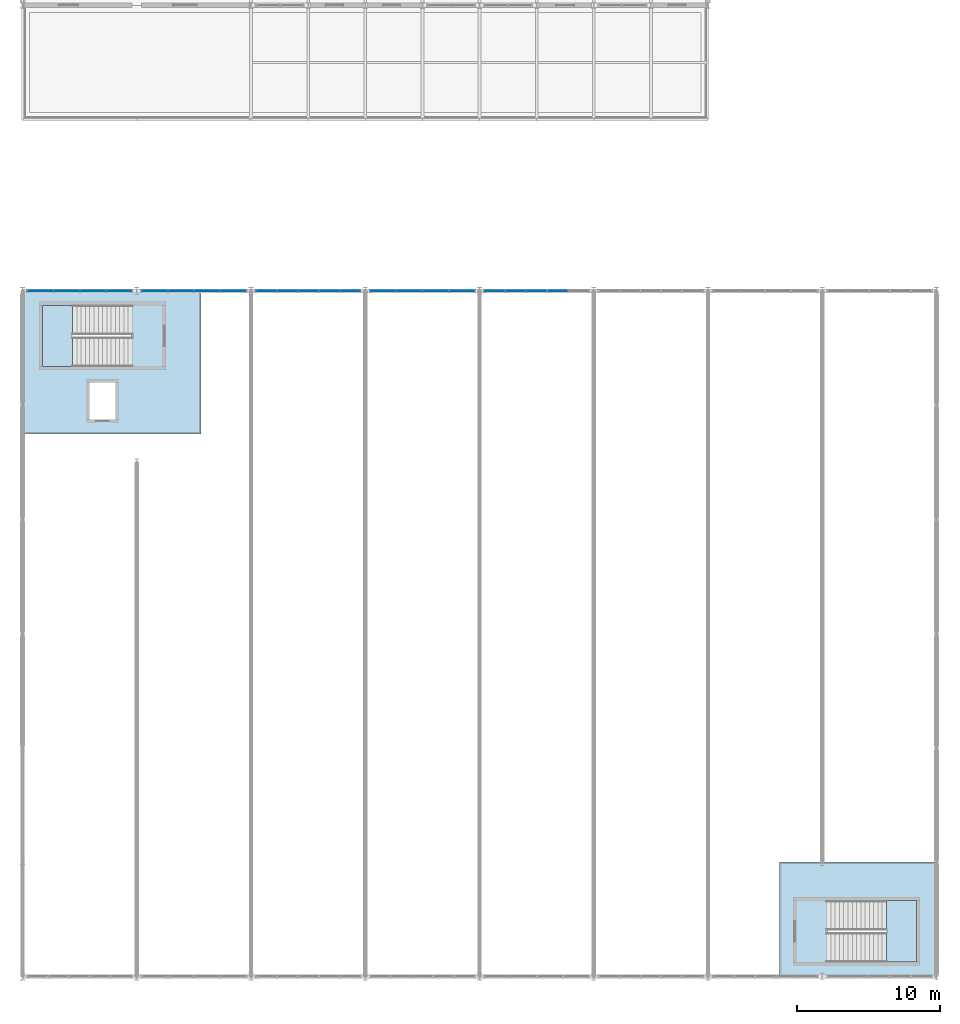
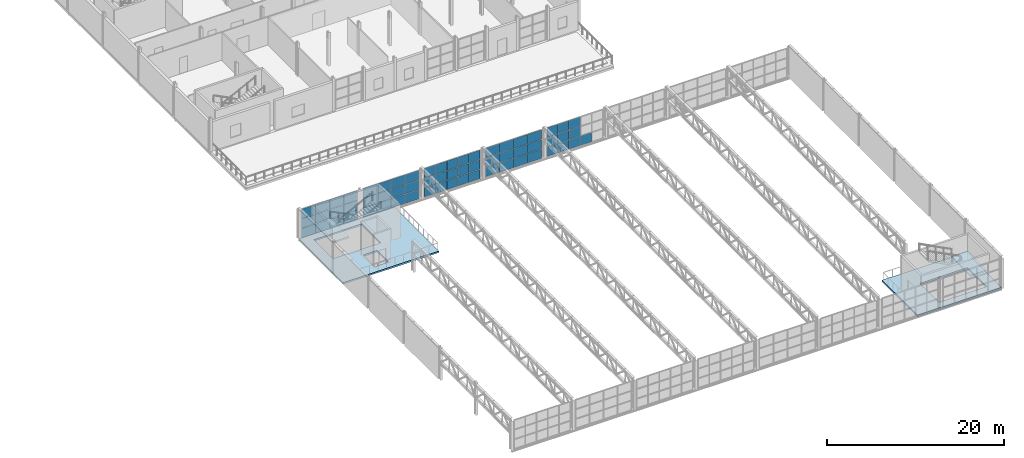
# One storey, part 55 of 67: 61 plates, 4 slabs, 7 elements without a shape of their own.
"""IFC4 building model written with IfcOpenShell, lengths in metres."""

from ifc_helpers import new_model, si_unit, derived_unit, direction, frame, origin, origin_2d, place, context, subcontext, project, spatial, polyline, rectangle, outline, extrude, material, layer, layer_set, type_object, element, aggregate, save


model = new_model("IFC4")

# Units and contexts
model_context = context("Model", 3, precision=1e-05, world=origin(), true_north=direction((0.0, 1.0)))
body_context = subcontext(model_context, "Body", "Model", "MODEL_VIEW")
ifc_project = project(units=[si_unit("LENGTHUNIT", "METRE"), si_unit("AREAUNIT", "SQUARE_METRE"), si_unit("VOLUMEUNIT", "CUBIC_METRE"), si_unit("PLANEANGLEUNIT", "RADIAN"), si_unit("MASSUNIT", "GRAM", prefix="KILO"), derived_unit("THERMALTRANSMITTANCEUNIT", [(si_unit("POWERUNIT", "WATT"), 1), (si_unit("LENGTHUNIT", "METRE"), -2), (si_unit("THERMODYNAMICTEMPERATUREUNIT", "KELVIN"), -1)])], contexts=[model_context])

# Site, building, storey
site_placement = place(None, origin())
site = spatial("IfcSite", under=ifc_project, at=site_placement, CompositionType="ELEMENT")
building_placement = place(site_placement, origin())
building = spatial("IfcBuilding", under=site, at=building_placement, Name="Keldorne Ridge Multi-Sports Centre", CompositionType="ELEMENT")
storey_placement = place(building_placement, frame((0.0, 0.0, 14.0)))
storey = spatial("IfcBuildingStorey", under=building, at=storey_placement, Name="L03", CompositionType="ELEMENT", Elevation=14.0)

# Curtain wall, plates
ifc_material_1 = material(Name="Anodized aluminium", Category="aluminium")
curtain_wall_type_1 = type_object("IfcCurtainWallType", Name="CW-CW-05", PredefinedType="NOTDEFINED", material=ifc_material_1)
curtain_wall_1_placement = place(storey_placement, origin())
curtain_wall_1 = element("IfcCurtainWall", 1, at=curtain_wall_1_placement, inside=storey, type_object=curtain_wall_type_1, Name="Upper Courts north clerestory 093", PredefinedType="NOTDEFINED")
ifc_material_2 = material(Name="Double low-e insulated glazing", Category="glass")
ifc_layer_1 = layer(ifc_material_2, 0.035888671875)
ifc_layer_set_1 = layer_set([ifc_layer_1])
plate_type = type_object("IfcPlateType", Name="PLT-GL-01", PredefinedType="CURTAIN_PANEL", material=ifc_layer_set_1)
plate_1_placement = place(storey_placement, frame((110.7451171875, 54.0, 0.02001953125), z_axis=(0.0, 0.0, 1.0), x_axis=(-1.0, 0.0, 0.0)))
plate_1 = element("IfcPlate", 2, at=plate_1_placement, type_object=plate_type, Name="CW-093 glazed panel 1.1", PredefinedType="CURTAIN_PANEL", context=body_context, shape_type="SweptSolid", body=[
    extrude(rectangle(XDim=1.7900390625, YDim=0.035888671875, at=origin_2d()), origin(), (0.0, 0.0, 1.0), 1.293212890625),
])
plate_2_placement = place(storey_placement, frame((110.7451171875, 54.0, 1.353515625), z_axis=(0.0, 0.0, 1.0), x_axis=(-1.0, 0.0, 0.0)))
plate_2 = element("IfcPlate", 3, at=plate_2_placement, type_object=plate_type, Name="CW-093 glazed panel 1.2", PredefinedType="CURTAIN_PANEL", context=body_context, shape_type="SweptSolid", body=[
    extrude(rectangle(XDim=1.7900390625, YDim=0.035888671875, at=origin_2d()), origin(), (0.0, 0.0, 1.0), 1.293212890625),
])
plate_3_placement = place(storey_placement, frame((110.7451171875, 54.0, 2.6865234375), z_axis=(0.0, 0.0, 1.0), x_axis=(-1.0, 0.0, 0.0)))
plate_3 = element("IfcPlate", 4, at=plate_3_placement, type_object=plate_type, Name="CW-093 glazed panel 1.3", PredefinedType="CURTAIN_PANEL", context=body_context, shape_type="SweptSolid", body=[
    extrude(rectangle(XDim=1.7900390625, YDim=0.035888671875, at=origin_2d()), origin(), (0.0, 0.0, 1.0), 1.293212890625),
])
plate_4_placement = place(storey_placement, frame((108.9150390625, 54.0, 0.02001953125), z_axis=(0.0, 0.0, 1.0), x_axis=(-1.0, 0.0, 0.0)))
plate_4 = element("IfcPlate", 5, at=plate_4_placement, type_object=plate_type, Name="CW-093 glazed panel 2.1", PredefinedType="CURTAIN_PANEL", context=body_context, shape_type="SweptSolid", body=[
    extrude(rectangle(XDim=1.7900390625, YDim=0.035888671875, at=origin_2d()), origin(), (0.0, 0.0, 1.0), 1.293212890625),
])
plate_5_placement = place(storey_placement, frame((108.9150390625, 54.0, 1.353515625), z_axis=(0.0, 0.0, 1.0), x_axis=(-1.0, 0.0, 0.0)))
plate_5 = element("IfcPlate", 6, at=plate_5_placement, type_object=plate_type, Name="CW-093 glazed panel 2.2", PredefinedType="CURTAIN_PANEL", context=body_context, shape_type="SweptSolid", body=[
    extrude(rectangle(XDim=1.7900390625, YDim=0.035888671875, at=origin_2d()), origin(), (0.0, 0.0, 1.0), 1.293212890625),
])
plate_6_placement = place(storey_placement, frame((108.9150390625, 54.0, 2.6865234375), z_axis=(0.0, 0.0, 1.0), x_axis=(-1.0, 0.0, 0.0)))
plate_6 = element("IfcPlate", 7, at=plate_6_placement, type_object=plate_type, Name="CW-093 glazed panel 2.3", PredefinedType="CURTAIN_PANEL", context=body_context, shape_type="SweptSolid", body=[
    extrude(rectangle(XDim=1.7900390625, YDim=0.035888671875, at=origin_2d()), origin(), (0.0, 0.0, 1.0), 1.293212890625),
])
plate_7_placement = place(storey_placement, frame((107.0849609375, 54.0, 0.02001953125), z_axis=(0.0, 0.0, 1.0), x_axis=(-1.0, 0.0, 0.0)))
plate_7 = element("IfcPlate", 8, at=plate_7_placement, type_object=plate_type, Name="CW-093 glazed panel 3.1", PredefinedType="CURTAIN_PANEL", context=body_context, shape_type="SweptSolid", body=[
    extrude(rectangle(XDim=1.7900390625, YDim=0.035888671875, at=origin_2d()), origin(), (0.0, 0.0, 1.0), 1.293212890625),
])
plate_8_placement = place(storey_placement, frame((107.0849609375, 54.0, 1.353515625), z_axis=(0.0, 0.0, 1.0), x_axis=(-1.0, 0.0, 0.0)))
plate_8 = element("IfcPlate", 9, at=plate_8_placement, type_object=plate_type, Name="CW-093 glazed panel 3.2", PredefinedType="CURTAIN_PANEL", context=body_context, shape_type="SweptSolid", body=[
    extrude(rectangle(XDim=1.7900390625, YDim=0.035888671875, at=origin_2d()), origin(), (0.0, 0.0, 1.0), 1.293212890625),
])
plate_9_placement = place(storey_placement, frame((107.0849609375, 54.0, 2.6865234375), z_axis=(0.0, 0.0, 1.0), x_axis=(-1.0, 0.0, 0.0)))
plate_9 = element("IfcPlate", 10, at=plate_9_placement, type_object=plate_type, Name="CW-093 glazed panel 3.3", PredefinedType="CURTAIN_PANEL", context=body_context, shape_type="SweptSolid", body=[
    extrude(rectangle(XDim=1.7900390625, YDim=0.035888671875, at=origin_2d()), origin(), (0.0, 0.0, 1.0), 1.293212890625),
])
plate_10_placement = place(storey_placement, frame((105.2548828125, 54.0, 0.02001953125), z_axis=(0.0, 0.0, 1.0), x_axis=(-1.0, 0.0, 0.0)))
plate_10 = element("IfcPlate", 11, at=plate_10_placement, type_object=plate_type, Name="CW-093 glazed panel 4.1", PredefinedType="CURTAIN_PANEL", context=body_context, shape_type="SweptSolid", body=[
    extrude(rectangle(XDim=1.7900390625, YDim=0.035888671875, at=origin_2d()), origin(), (0.0, 0.0, 1.0), 1.293212890625),
])
plate_11_placement = place(storey_placement, frame((105.2548828125, 54.0, 1.353515625), z_axis=(0.0, 0.0, 1.0), x_axis=(-1.0, 0.0, 0.0)))
plate_11 = element("IfcPlate", 12, at=plate_11_placement, type_object=plate_type, Name="CW-093 glazed panel 4.2", PredefinedType="CURTAIN_PANEL", context=body_context, shape_type="SweptSolid", body=[
    extrude(rectangle(XDim=1.7900390625, YDim=0.035888671875, at=origin_2d()), origin(), (0.0, 0.0, 1.0), 1.293212890625),
])
plate_12_placement = place(storey_placement, frame((105.2548828125, 54.0, 2.6865234375), z_axis=(0.0, 0.0, 1.0), x_axis=(-1.0, 0.0, 0.0)))
plate_12 = element("IfcPlate", 13, at=plate_12_placement, type_object=plate_type, Name="CW-093 glazed panel 4.3", PredefinedType="CURTAIN_PANEL", context=body_context, shape_type="SweptSolid", body=[
    extrude(rectangle(XDim=1.7900390625, YDim=0.035888671875, at=origin_2d()), origin(), (0.0, 0.0, 1.0), 1.293212890625),
])
aggregate(curtain_wall_1, [plate_1, plate_2, plate_3, plate_4, plate_5, plate_6, plate_7, plate_8, plate_9, plate_10, plate_11, plate_12])

curtain_wall_type_2 = type_object("IfcCurtainWallType", Name="CW-CW-03", PredefinedType="NOTDEFINED", material=ifc_material_1)
curtain_wall_2_placement = place(storey_placement, origin())
curtain_wall_2 = element("IfcCurtainWall", 14, at=curtain_wall_2_placement, inside=storey, type_object=curtain_wall_type_2, Name="Upper Courts north clerestory 099", PredefinedType="NOTDEFINED")
plate_13_placement = place(storey_placement, frame((118.7451171875, 54.0, 0.02001953125), z_axis=(0.0, 0.0, 1.0), x_axis=(-1.0, 0.0, 0.0)))
plate_13 = element("IfcPlate", 15, at=plate_13_placement, type_object=plate_type, Name="CW-099 glazed panel 1.1", PredefinedType="CURTAIN_PANEL", context=body_context, shape_type="SweptSolid", body=[
    extrude(rectangle(XDim=1.7900390625, YDim=0.035888671875, at=origin_2d()), origin(), (0.0, 0.0, 1.0), 1.293212890625),
])
plate_14_placement = place(storey_placement, frame((118.7451171875, 54.0, 1.353515625), z_axis=(0.0, 0.0, 1.0), x_axis=(-1.0, 0.0, 0.0)))
plate_14 = element("IfcPlate", 16, at=plate_14_placement, type_object=plate_type, Name="CW-099 glazed panel 1.2", PredefinedType="CURTAIN_PANEL", context=body_context, shape_type="SweptSolid", body=[
    extrude(rectangle(XDim=1.7900390625, YDim=0.035888671875, at=origin_2d()), origin(), (0.0, 0.0, 1.0), 1.293212890625),
])
plate_15_placement = place(storey_placement, frame((118.7451171875, 54.0, 2.6865234375), z_axis=(0.0, 0.0, 1.0), x_axis=(-1.0, 0.0, 0.0)))
plate_15 = element("IfcPlate", 17, at=plate_15_placement, type_object=plate_type, Name="CW-099 glazed panel 1.3", PredefinedType="CURTAIN_PANEL", context=body_context, shape_type="SweptSolid", body=[
    extrude(rectangle(XDim=1.7900390625, YDim=0.035888671875, at=origin_2d()), origin(), (0.0, 0.0, 1.0), 1.293212890625),
])
plate_16_placement = place(storey_placement, frame((116.9150390625, 54.0, 0.02001953125), z_axis=(0.0, 0.0, 1.0), x_axis=(-1.0, 0.0, 0.0)))
plate_16 = element("IfcPlate", 18, at=plate_16_placement, type_object=plate_type, Name="CW-099 glazed panel 2.1", PredefinedType="CURTAIN_PANEL", context=body_context, shape_type="SweptSolid", body=[
    extrude(rectangle(XDim=1.7900390625, YDim=0.035888671875, at=origin_2d()), origin(), (0.0, 0.0, 1.0), 1.293212890625),
])
plate_17_placement = place(storey_placement, frame((116.9150390625, 54.0, 1.353515625), z_axis=(0.0, 0.0, 1.0), x_axis=(-1.0, 0.0, 0.0)))
plate_17 = element("IfcPlate", 19, at=plate_17_placement, type_object=plate_type, Name="CW-099 glazed panel 2.2", PredefinedType="CURTAIN_PANEL", context=body_context, shape_type="SweptSolid", body=[
    extrude(rectangle(XDim=1.7900390625, YDim=0.035888671875, at=origin_2d()), origin(), (0.0, 0.0, 1.0), 1.293212890625),
])
plate_18_placement = place(storey_placement, frame((116.9150390625, 54.0, 2.6865234375), z_axis=(0.0, 0.0, 1.0), x_axis=(-1.0, 0.0, 0.0)))
plate_18 = element("IfcPlate", 20, at=plate_18_placement, type_object=plate_type, Name="CW-099 glazed panel 2.3", PredefinedType="CURTAIN_PANEL", context=body_context, shape_type="SweptSolid", body=[
    extrude(rectangle(XDim=1.7900390625, YDim=0.035888671875, at=origin_2d()), origin(), (0.0, 0.0, 1.0), 1.293212890625),
])
plate_19_placement = place(storey_placement, frame((115.0849609375, 54.0, 0.02001953125), z_axis=(0.0, 0.0, 1.0), x_axis=(-1.0, 0.0, 0.0)))
plate_19 = element("IfcPlate", 21, at=plate_19_placement, type_object=plate_type, Name="CW-099 glazed panel 3.1", PredefinedType="CURTAIN_PANEL", context=body_context, shape_type="SweptSolid", body=[
    extrude(rectangle(XDim=1.7900390625, YDim=0.035888671875, at=origin_2d()), origin(), (0.0, 0.0, 1.0), 1.293212890625),
])
plate_20_placement = place(storey_placement, frame((115.0849609375, 54.0, 1.353515625), z_axis=(0.0, 0.0, 1.0), x_axis=(-1.0, 0.0, 0.0)))
plate_20 = element("IfcPlate", 22, at=plate_20_placement, type_object=plate_type, Name="CW-099 glazed panel 3.2", PredefinedType="CURTAIN_PANEL", context=body_context, shape_type="SweptSolid", body=[
    extrude(rectangle(XDim=1.7900390625, YDim=0.035888671875, at=origin_2d()), origin(), (0.0, 0.0, 1.0), 1.293212890625),
])
plate_21_placement = place(storey_placement, frame((115.0849609375, 54.0, 2.6865234375), z_axis=(0.0, 0.0, 1.0), x_axis=(-1.0, 0.0, 0.0)))
plate_21 = element("IfcPlate", 23, at=plate_21_placement, type_object=plate_type, Name="CW-099 glazed panel 3.3", PredefinedType="CURTAIN_PANEL", context=body_context, shape_type="SweptSolid", body=[
    extrude(rectangle(XDim=1.7900390625, YDim=0.035888671875, at=origin_2d()), origin(), (0.0, 0.0, 1.0), 1.293212890625),
])
plate_22_placement = place(storey_placement, frame((113.2548828125, 54.0, 0.02001953125), z_axis=(0.0, 0.0, 1.0), x_axis=(-1.0, 0.0, 0.0)))
plate_22 = element("IfcPlate", 24, at=plate_22_placement, type_object=plate_type, Name="CW-099 glazed panel 4.1", PredefinedType="CURTAIN_PANEL", context=body_context, shape_type="SweptSolid", body=[
    extrude(rectangle(XDim=1.7900390625, YDim=0.035888671875, at=origin_2d()), origin(), (0.0, 0.0, 1.0), 1.293212890625),
])
plate_23_placement = place(storey_placement, frame((113.2548828125, 54.0, 1.353515625), z_axis=(0.0, 0.0, 1.0), x_axis=(-1.0, 0.0, 0.0)))
plate_23 = element("IfcPlate", 25, at=plate_23_placement, type_object=plate_type, Name="CW-099 glazed panel 4.2", PredefinedType="CURTAIN_PANEL", context=body_context, shape_type="SweptSolid", body=[
    extrude(rectangle(XDim=1.7900390625, YDim=0.035888671875, at=origin_2d()), origin(), (0.0, 0.0, 1.0), 1.293212890625),
])
plate_24_placement = place(storey_placement, frame((113.2548828125, 54.0, 2.6865234375), z_axis=(0.0, 0.0, 1.0), x_axis=(-1.0, 0.0, 0.0)))
plate_24 = element("IfcPlate", 26, at=plate_24_placement, type_object=plate_type, Name="CW-099 glazed panel 4.3", PredefinedType="CURTAIN_PANEL", context=body_context, shape_type="SweptSolid", body=[
    extrude(rectangle(XDim=1.7900390625, YDim=0.035888671875, at=origin_2d()), origin(), (0.0, 0.0, 1.0), 1.293212890625),
])
aggregate(curtain_wall_2, [plate_13, plate_14, plate_15, plate_16, plate_17, plate_18, plate_19, plate_20, plate_21, plate_22, plate_23, plate_24])

curtain_wall_type_3 = type_object("IfcCurtainWallType", Name="CW-CW-01", PredefinedType="NOTDEFINED", material=ifc_material_1)
curtain_wall_3_placement = place(storey_placement, origin())
curtain_wall_3 = element("IfcCurtainWall", 27, at=curtain_wall_3_placement, inside=storey, type_object=curtain_wall_type_3, Name="Upper Courts north clerestory 105", PredefinedType="NOTDEFINED")
plate_25_placement = place(storey_placement, frame((126.927978515625, 54.0, 0.02001953125), z_axis=(0.0, 0.0, 1.0), x_axis=(-1.0, 0.0, 0.0)))
plate_25 = element("IfcPlate", 28, at=plate_25_placement, type_object=plate_type, Name="CW-105 glazed panel 1.1", PredefinedType="CURTAIN_PANEL", context=body_context, shape_type="SweptSolid", body=[
    extrude(rectangle(XDim=1.424072265625, YDim=0.035888671875, at=origin_2d()), origin(), (0.0, 0.0, 1.0), 1.293212890625),
])
plate_26_placement = place(storey_placement, frame((126.927978515625, 54.0, 1.353515625), z_axis=(0.0, 0.0, 1.0), x_axis=(-1.0, 0.0, 0.0)))
plate_26 = element("IfcPlate", 29, at=plate_26_placement, type_object=plate_type, Name="CW-105 glazed panel 1.2", PredefinedType="CURTAIN_PANEL", context=body_context, shape_type="SweptSolid", body=[
    extrude(rectangle(XDim=1.424072265625, YDim=0.035888671875, at=origin_2d()), origin(), (0.0, 0.0, 1.0), 1.293212890625),
])
plate_27_placement = place(storey_placement, frame((126.927978515625, 54.0, 2.6865234375), z_axis=(0.0, 0.0, 1.0), x_axis=(-1.0, 0.0, 0.0)))
plate_27 = element("IfcPlate", 30, at=plate_27_placement, type_object=plate_type, Name="CW-105 glazed panel 1.3", PredefinedType="CURTAIN_PANEL", context=body_context, shape_type="SweptSolid", body=[
    extrude(rectangle(XDim=1.424072265625, YDim=0.035888671875, at=origin_2d()), origin(), (0.0, 0.0, 1.0), 1.293212890625),
])
plate_28_placement = place(storey_placement, frame((125.464111328125, 54.0, 0.02001953125), z_axis=(0.0, 0.0, 1.0), x_axis=(-1.0, 0.0, 0.0)))
plate_28 = element("IfcPlate", 31, at=plate_28_placement, type_object=plate_type, Name="CW-105 glazed panel 2.1", PredefinedType="CURTAIN_PANEL", context=body_context, shape_type="SweptSolid", body=[
    extrude(rectangle(XDim=1.424072265625, YDim=0.035888671875, at=origin_2d()), origin(), (0.0, 0.0, 1.0), 1.293212890625),
])
plate_29_placement = place(storey_placement, frame((125.464111328125, 54.0, 1.353515625), z_axis=(0.0, 0.0, 1.0), x_axis=(-1.0, 0.0, 0.0)))
plate_29 = element("IfcPlate", 32, at=plate_29_placement, type_object=plate_type, Name="CW-105 glazed panel 2.2", PredefinedType="CURTAIN_PANEL", context=body_context, shape_type="SweptSolid", body=[
    extrude(rectangle(XDim=1.424072265625, YDim=0.035888671875, at=origin_2d()), origin(), (0.0, 0.0, 1.0), 1.293212890625),
])
plate_30_placement = place(storey_placement, frame((125.464111328125, 54.0, 2.6865234375), z_axis=(0.0, 0.0, 1.0), x_axis=(-1.0, 0.0, 0.0)))
plate_30 = element("IfcPlate", 33, at=plate_30_placement, type_object=plate_type, Name="CW-105 glazed panel 2.3", PredefinedType="CURTAIN_PANEL", context=body_context, shape_type="SweptSolid", body=[
    extrude(rectangle(XDim=1.424072265625, YDim=0.035888671875, at=origin_2d()), origin(), (0.0, 0.0, 1.0), 1.293212890625),
])
plate_31_placement = place(storey_placement, frame((124.0, 54.0, 0.02001953125), z_axis=(0.0, 0.0, 1.0), x_axis=(-1.0, 0.0, 0.0)))
plate_31 = element("IfcPlate", 34, at=plate_31_placement, type_object=plate_type, Name="CW-105 glazed panel 3.1", PredefinedType="CURTAIN_PANEL", context=body_context, shape_type="SweptSolid", body=[
    extrude(rectangle(XDim=1.424072265625, YDim=0.035888671875, at=origin_2d()), origin(), (0.0, 0.0, 1.0), 1.293212890625),
])
plate_32_placement = place(storey_placement, frame((124.0, 54.0, 1.353515625), z_axis=(0.0, 0.0, 1.0), x_axis=(-1.0, 0.0, 0.0)))
plate_32 = element("IfcPlate", 35, at=plate_32_placement, type_object=plate_type, Name="CW-105 glazed panel 3.2", PredefinedType="CURTAIN_PANEL", context=body_context, shape_type="SweptSolid", body=[
    extrude(rectangle(XDim=1.424072265625, YDim=0.035888671875, at=origin_2d()), origin(), (0.0, 0.0, 1.0), 1.293212890625),
])
plate_33_placement = place(storey_placement, frame((124.0, 54.0, 2.6865234375), z_axis=(0.0, 0.0, 1.0), x_axis=(-1.0, 0.0, 0.0)))
plate_33 = element("IfcPlate", 36, at=plate_33_placement, type_object=plate_type, Name="CW-105 glazed panel 3.3", PredefinedType="CURTAIN_PANEL", context=body_context, shape_type="SweptSolid", body=[
    extrude(rectangle(XDim=1.424072265625, YDim=0.035888671875, at=origin_2d()), origin(), (0.0, 0.0, 1.0), 1.293212890625),
])
plate_34_placement = place(storey_placement, frame((122.535888671875, 54.0, 0.02001953125), z_axis=(0.0, 0.0, 1.0), x_axis=(-1.0, 0.0, 0.0)))
plate_34 = element("IfcPlate", 37, at=plate_34_placement, type_object=plate_type, Name="CW-105 glazed panel 4.1", PredefinedType="CURTAIN_PANEL", context=body_context, shape_type="SweptSolid", body=[
    extrude(rectangle(XDim=1.424072265625, YDim=0.035888671875, at=origin_2d()), origin(), (0.0, 0.0, 1.0), 1.293212890625),
])
plate_35_placement = place(storey_placement, frame((122.535888671875, 54.0, 1.353515625), z_axis=(0.0, 0.0, 1.0), x_axis=(-1.0, 0.0, 0.0)))
plate_35 = element("IfcPlate", 38, at=plate_35_placement, type_object=plate_type, Name="CW-105 glazed panel 4.2", PredefinedType="CURTAIN_PANEL", context=body_context, shape_type="SweptSolid", body=[
    extrude(rectangle(XDim=1.424072265625, YDim=0.035888671875, at=origin_2d()), origin(), (0.0, 0.0, 1.0), 1.293212890625),
])
plate_36_placement = place(storey_placement, frame((122.535888671875, 54.0, 2.6865234375), z_axis=(0.0, 0.0, 1.0), x_axis=(-1.0, 0.0, 0.0)))
plate_36 = element("IfcPlate", 39, at=plate_36_placement, type_object=plate_type, Name="CW-105 glazed panel 4.3", PredefinedType="CURTAIN_PANEL", context=body_context, shape_type="SweptSolid", body=[
    extrude(rectangle(XDim=1.424072265625, YDim=0.035888671875, at=origin_2d()), origin(), (0.0, 0.0, 1.0), 1.293212890625),
])
plate_37_placement = place(storey_placement, frame((121.072021484375, 54.0, 0.02001953125), z_axis=(0.0, 0.0, 1.0), x_axis=(-1.0, 0.0, 0.0)))
plate_37 = element("IfcPlate", 40, at=plate_37_placement, type_object=plate_type, Name="CW-105 glazed panel 5.1", PredefinedType="CURTAIN_PANEL", context=body_context, shape_type="SweptSolid", body=[
    extrude(rectangle(XDim=1.424072265625, YDim=0.035888671875, at=origin_2d()), origin(), (0.0, 0.0, 1.0), 1.293212890625),
])
plate_38_placement = place(storey_placement, frame((121.072021484375, 54.0, 1.353515625), z_axis=(0.0, 0.0, 1.0), x_axis=(-1.0, 0.0, 0.0)))
plate_38 = element("IfcPlate", 41, at=plate_38_placement, type_object=plate_type, Name="CW-105 glazed panel 5.2", PredefinedType="CURTAIN_PANEL", context=body_context, shape_type="SweptSolid", body=[
    extrude(rectangle(XDim=1.424072265625, YDim=0.035888671875, at=origin_2d()), origin(), (0.0, 0.0, 1.0), 1.293212890625),
])
plate_39_placement = place(storey_placement, frame((121.072021484375, 54.0, 2.6865234375), z_axis=(0.0, 0.0, 1.0), x_axis=(-1.0, 0.0, 0.0)))
plate_39 = element("IfcPlate", 42, at=plate_39_placement, type_object=plate_type, Name="CW-105 glazed panel 5.3", PredefinedType="CURTAIN_PANEL", context=body_context, shape_type="SweptSolid", body=[
    extrude(rectangle(XDim=1.424072265625, YDim=0.035888671875, at=origin_2d()), origin(), (0.0, 0.0, 1.0), 1.293212890625),
])
aggregate(curtain_wall_3, [plate_25, plate_26, plate_27, plate_28, plate_29, plate_30, plate_31, plate_32, plate_33, plate_34, plate_35, plate_36, plate_37, plate_38, plate_39])

curtain_wall_type_4 = type_object("IfcCurtainWallType", Name="CW-CW-08", PredefinedType="NOTDEFINED", material=ifc_material_1)
curtain_wall_4_placement = place(storey_placement, origin())
curtain_wall_4 = element("IfcCurtainWall", 43, at=curtain_wall_4_placement, inside=storey, type_object=curtain_wall_type_4, Name="Upper Courts north clerestory 112", PredefinedType="NOTDEFINED")
plate_40_placement = place(storey_placement, frame((134.7451171875, 54.0, 0.02001953125), z_axis=(0.0, 0.0, 1.0), x_axis=(-1.0, 0.0, 0.0)))
plate_40 = element("IfcPlate", 44, at=plate_40_placement, type_object=plate_type, Name="CW-112 glazed panel 1.1", PredefinedType="CURTAIN_PANEL", context=body_context, shape_type="SweptSolid", body=[
    extrude(rectangle(XDim=1.7900390625, YDim=0.035888671875, at=origin_2d()), origin(), (0.0, 0.0, 1.0), 1.293212890625),
])
plate_41_placement = place(storey_placement, frame((134.7451171875, 54.0, 1.353515625), z_axis=(0.0, 0.0, 1.0), x_axis=(-1.0, 0.0, 0.0)))
plate_41 = element("IfcPlate", 45, at=plate_41_placement, type_object=plate_type, Name="CW-112 glazed panel 1.2", PredefinedType="CURTAIN_PANEL", context=body_context, shape_type="SweptSolid", body=[
    extrude(rectangle(XDim=1.7900390625, YDim=0.035888671875, at=origin_2d()), origin(), (0.0, 0.0, 1.0), 1.293212890625),
])
plate_42_placement = place(storey_placement, frame((134.7451171875, 54.0, 2.6865234375), z_axis=(0.0, 0.0, 1.0), x_axis=(-1.0, 0.0, 0.0)))
plate_42 = element("IfcPlate", 46, at=plate_42_placement, type_object=plate_type, Name="CW-112 glazed panel 1.3", PredefinedType="CURTAIN_PANEL", context=body_context, shape_type="SweptSolid", body=[
    extrude(rectangle(XDim=1.7900390625, YDim=0.035888671875, at=origin_2d()), origin(), (0.0, 0.0, 1.0), 1.293212890625),
])
plate_43_placement = place(storey_placement, frame((132.9150390625, 54.0, 0.02001953125), z_axis=(0.0, 0.0, 1.0), x_axis=(-1.0, 0.0, 0.0)))
plate_43 = element("IfcPlate", 47, at=plate_43_placement, type_object=plate_type, Name="CW-112 glazed panel 2.1", PredefinedType="CURTAIN_PANEL", context=body_context, shape_type="SweptSolid", body=[
    extrude(rectangle(XDim=1.7900390625, YDim=0.035888671875, at=origin_2d()), origin(), (0.0, 0.0, 1.0), 1.293212890625),
])
plate_44_placement = place(storey_placement, frame((132.9150390625, 54.0, 1.353515625), z_axis=(0.0, 0.0, 1.0), x_axis=(-1.0, 0.0, 0.0)))
plate_44 = element("IfcPlate", 48, at=plate_44_placement, type_object=plate_type, Name="CW-112 glazed panel 2.2", PredefinedType="CURTAIN_PANEL", context=body_context, shape_type="SweptSolid", body=[
    extrude(rectangle(XDim=1.7900390625, YDim=0.035888671875, at=origin_2d()), origin(), (0.0, 0.0, 1.0), 1.293212890625),
])
plate_45_placement = place(storey_placement, frame((132.9150390625, 54.0, 2.6865234375), z_axis=(0.0, 0.0, 1.0), x_axis=(-1.0, 0.0, 0.0)))
plate_45 = element("IfcPlate", 49, at=plate_45_placement, type_object=plate_type, Name="CW-112 glazed panel 2.3", PredefinedType="CURTAIN_PANEL", context=body_context, shape_type="SweptSolid", body=[
    extrude(rectangle(XDim=1.7900390625, YDim=0.035888671875, at=origin_2d()), origin(), (0.0, 0.0, 1.0), 1.293212890625),
])
plate_46_placement = place(storey_placement, frame((131.0849609375, 54.0, 0.02001953125), z_axis=(0.0, 0.0, 1.0), x_axis=(-1.0, 0.0, 0.0)))
plate_46 = element("IfcPlate", 50, at=plate_46_placement, type_object=plate_type, Name="CW-112 glazed panel 3.1", PredefinedType="CURTAIN_PANEL", context=body_context, shape_type="SweptSolid", body=[
    extrude(rectangle(XDim=1.7900390625, YDim=0.035888671875, at=origin_2d()), origin(), (0.0, 0.0, 1.0), 1.293212890625),
])
plate_47_placement = place(storey_placement, frame((131.0849609375, 54.0, 1.353515625), z_axis=(0.0, 0.0, 1.0), x_axis=(-1.0, 0.0, 0.0)))
plate_47 = element("IfcPlate", 51, at=plate_47_placement, type_object=plate_type, Name="CW-112 glazed panel 3.2", PredefinedType="CURTAIN_PANEL", context=body_context, shape_type="SweptSolid", body=[
    extrude(rectangle(XDim=1.7900390625, YDim=0.035888671875, at=origin_2d()), origin(), (0.0, 0.0, 1.0), 1.293212890625),
])
plate_48_placement = place(storey_placement, frame((131.0849609375, 54.0, 2.6865234375), z_axis=(0.0, 0.0, 1.0), x_axis=(-1.0, 0.0, 0.0)))
plate_48 = element("IfcPlate", 52, at=plate_48_placement, type_object=plate_type, Name="CW-112 glazed panel 3.3", PredefinedType="CURTAIN_PANEL", context=body_context, shape_type="SweptSolid", body=[
    extrude(rectangle(XDim=1.7900390625, YDim=0.035888671875, at=origin_2d()), origin(), (0.0, 0.0, 1.0), 1.293212890625),
])
plate_49_placement = place(storey_placement, frame((129.2548828125, 54.0, 0.02001953125), z_axis=(0.0, 0.0, 1.0), x_axis=(-1.0, 0.0, 0.0)))
plate_49 = element("IfcPlate", 53, at=plate_49_placement, type_object=plate_type, Name="CW-112 glazed panel 4.1", PredefinedType="CURTAIN_PANEL", context=body_context, shape_type="SweptSolid", body=[
    extrude(rectangle(XDim=1.7900390625, YDim=0.035888671875, at=origin_2d()), origin(), (0.0, 0.0, 1.0), 1.293212890625),
])
plate_50_placement = place(storey_placement, frame((129.2548828125, 54.0, 1.353515625), z_axis=(0.0, 0.0, 1.0), x_axis=(-1.0, 0.0, 0.0)))
plate_50 = element("IfcPlate", 54, at=plate_50_placement, type_object=plate_type, Name="CW-112 glazed panel 4.2", PredefinedType="CURTAIN_PANEL", context=body_context, shape_type="SweptSolid", body=[
    extrude(rectangle(XDim=1.7900390625, YDim=0.035888671875, at=origin_2d()), origin(), (0.0, 0.0, 1.0), 1.293212890625),
])
plate_51_placement = place(storey_placement, frame((129.2548828125, 54.0, 2.6865234375), z_axis=(0.0, 0.0, 1.0), x_axis=(-1.0, 0.0, 0.0)))
plate_51 = element("IfcPlate", 55, at=plate_51_placement, type_object=plate_type, Name="CW-112 glazed panel 4.3", PredefinedType="CURTAIN_PANEL", context=body_context, shape_type="SweptSolid", body=[
    extrude(rectangle(XDim=1.7900390625, YDim=0.035888671875, at=origin_2d()), origin(), (0.0, 0.0, 1.0), 1.293212890625),
])
aggregate(curtain_wall_4, [plate_40, plate_41, plate_42, plate_43, plate_44, plate_45, plate_46, plate_47, plate_48, plate_49, plate_50, plate_51])

curtain_wall_type_5 = type_object("IfcCurtainWallType", Name="CW-CW-06", PredefinedType="NOTDEFINED", material=ifc_material_1)
curtain_wall_5_placement = place(storey_placement, origin())
curtain_wall_5 = element("IfcCurtainWall", 56, at=curtain_wall_5_placement, inside=storey, type_object=curtain_wall_type_5, Name="Upper Courts north clerestory 118", PredefinedType="NOTDEFINED")
plate_52_placement = place(storey_placement, frame((141.464111328125, 54.0, 0.02001953125), z_axis=(0.0, 0.0, 1.0), x_axis=(-1.0, 0.0, 0.0)))
plate_52 = element("IfcPlate", 57, at=plate_52_placement, type_object=plate_type, Name="CW-118 glazed panel 2.1", PredefinedType="CURTAIN_PANEL", context=body_context, shape_type="SweptSolid", body=[
    extrude(rectangle(XDim=1.424072265625, YDim=0.035888671875, at=origin_2d()), origin(), (0.0, 0.0, 1.0), 1.293212890625),
])
plate_53_placement = place(storey_placement, frame((140.0, 54.0, 0.02001953125), z_axis=(0.0, 0.0, 1.0), x_axis=(-1.0, 0.0, 0.0)))
plate_53 = element("IfcPlate", 58, at=plate_53_placement, type_object=plate_type, Name="CW-118 glazed panel 3.1", PredefinedType="CURTAIN_PANEL", context=body_context, shape_type="SweptSolid", body=[
    extrude(rectangle(XDim=1.424072265625, YDim=0.035888671875, at=origin_2d()), origin(), (0.0, 0.0, 1.0), 1.293212890625),
])
plate_54_placement = place(storey_placement, frame((140.0, 54.0, 1.353515625), z_axis=(0.0, 0.0, 1.0), x_axis=(-1.0, 0.0, 0.0)))
plate_54 = element("IfcPlate", 59, at=plate_54_placement, type_object=plate_type, Name="CW-118 glazed panel 3.2", PredefinedType="CURTAIN_PANEL", context=body_context, shape_type="SweptSolid", body=[
    extrude(rectangle(XDim=1.424072265625, YDim=0.035888671875, at=origin_2d()), origin(), (0.0, 0.0, 1.0), 1.293212890625),
])
plate_55_placement = place(storey_placement, frame((140.0, 54.0, 2.6865234375), z_axis=(0.0, 0.0, 1.0), x_axis=(-1.0, 0.0, 0.0)))
plate_55 = element("IfcPlate", 60, at=plate_55_placement, type_object=plate_type, Name="CW-118 glazed panel 3.3", PredefinedType="CURTAIN_PANEL", context=body_context, shape_type="SweptSolid", body=[
    extrude(rectangle(XDim=1.424072265625, YDim=0.035888671875, at=origin_2d()), origin(), (0.0, 0.0, 1.0), 1.293212890625),
])
plate_56_placement = place(storey_placement, frame((138.535888671875, 54.0, 0.02001953125), z_axis=(0.0, 0.0, 1.0), x_axis=(-1.0, 0.0, 0.0)))
plate_56 = element("IfcPlate", 61, at=plate_56_placement, type_object=plate_type, Name="CW-118 glazed panel 4.1", PredefinedType="CURTAIN_PANEL", context=body_context, shape_type="SweptSolid", body=[
    extrude(rectangle(XDim=1.424072265625, YDim=0.035888671875, at=origin_2d()), origin(), (0.0, 0.0, 1.0), 1.293212890625),
])
plate_57_placement = place(storey_placement, frame((138.535888671875, 54.0, 1.353515625), z_axis=(0.0, 0.0, 1.0), x_axis=(-1.0, 0.0, 0.0)))
plate_57 = element("IfcPlate", 62, at=plate_57_placement, type_object=plate_type, Name="CW-118 glazed panel 4.2", PredefinedType="CURTAIN_PANEL", context=body_context, shape_type="SweptSolid", body=[
    extrude(rectangle(XDim=1.424072265625, YDim=0.035888671875, at=origin_2d()), origin(), (0.0, 0.0, 1.0), 1.293212890625),
])
plate_58_placement = place(storey_placement, frame((138.535888671875, 54.0, 2.6865234375), z_axis=(0.0, 0.0, 1.0), x_axis=(-1.0, 0.0, 0.0)))
plate_58 = element("IfcPlate", 63, at=plate_58_placement, type_object=plate_type, Name="CW-118 glazed panel 4.3", PredefinedType="CURTAIN_PANEL", context=body_context, shape_type="SweptSolid", body=[
    extrude(rectangle(XDim=1.424072265625, YDim=0.035888671875, at=origin_2d()), origin(), (0.0, 0.0, 1.0), 1.293212890625),
])
plate_59_placement = place(storey_placement, frame((137.072021484375, 54.0, 0.02001953125), z_axis=(0.0, 0.0, 1.0), x_axis=(-1.0, 0.0, 0.0)))
plate_59 = element("IfcPlate", 64, at=plate_59_placement, type_object=plate_type, Name="CW-118 glazed panel 5.1", PredefinedType="CURTAIN_PANEL", context=body_context, shape_type="SweptSolid", body=[
    extrude(rectangle(XDim=1.424072265625, YDim=0.035888671875, at=origin_2d()), origin(), (0.0, 0.0, 1.0), 1.293212890625),
])
plate_60_placement = place(storey_placement, frame((137.072021484375, 54.0, 1.353515625), z_axis=(0.0, 0.0, 1.0), x_axis=(-1.0, 0.0, 0.0)))
plate_60 = element("IfcPlate", 65, at=plate_60_placement, type_object=plate_type, Name="CW-118 glazed panel 5.2", PredefinedType="CURTAIN_PANEL", context=body_context, shape_type="SweptSolid", body=[
    extrude(rectangle(XDim=1.424072265625, YDim=0.035888671875, at=origin_2d()), origin(), (0.0, 0.0, 1.0), 1.293212890625),
])
plate_61_placement = place(storey_placement, frame((137.072021484375, 54.0, 2.6865234375), z_axis=(0.0, 0.0, 1.0), x_axis=(-1.0, 0.0, 0.0)))
plate_61 = element("IfcPlate", 66, at=plate_61_placement, type_object=plate_type, Name="CW-118 glazed panel 5.3", PredefinedType="CURTAIN_PANEL", context=body_context, shape_type="SweptSolid", body=[
    extrude(rectangle(XDim=1.424072265625, YDim=0.035888671875, at=origin_2d()), origin(), (0.0, 0.0, 1.0), 1.293212890625),
])
aggregate(curtain_wall_5, [plate_52, plate_53, plate_54, plate_55, plate_56, plate_57, plate_58, plate_59, plate_60, plate_61])

# Stair, slab
ifc_material_3 = material(Name="Concrete C35/45", Category="concrete")
stair_type = type_object("IfcStairType", Name="STR-S01", PredefinedType="HALF_TURN_STAIR", material=ifc_material_3)
stair_1_placement = place(storey_placement, origin())
stair_1 = element("IfcStair", 67, at=stair_1_placement, inside=storey, type_object=stair_type, Name="L03 Stacked Courts Core C4", PredefinedType="HALF_TURN_STAIR")
ifc_layer_2 = layer(ifc_material_3, 0.199951171875)
ifc_layer_set_2 = layer_set([ifc_layer_2], Name="Concrete C35/45")
slab_type_1 = type_object("IfcSlabType", Name="SLB-LDG-01", PredefinedType="LANDING", material=ifc_layer_set_2)
slab_1_placement = place(storey_placement, frame((0.0, 0.0, 2.10009765625)))
slab_1 = element("IfcSlab", 68, at=slab_1_placement, type_object=slab_type_1, Name="ST-04 landing 1", PredefinedType="LANDING", context=body_context, shape_type="SweptSolid", body=[
    extrude(outline(polyline([(107.5, 53.0), (105.39990234375, 53.0), (105.39990234375, 48.699951171875), (107.5, 48.699951171875), (107.5, 53.0)])), origin(), (0.0, 0.0, 1.0), 0.199951171875),
])
aggregate(stair_1, [slab_1])

stair_2_placement = place(storey_placement, origin())
stair_2 = element("IfcStair", 69, at=stair_2_placement, inside=storey, type_object=stair_type, Name="L03 South-East Courts Escape Core C5", PredefinedType="HALF_TURN_STAIR")
slab_2_placement = place(storey_placement, frame((0.0, 0.0, 2.10009765625)))
slab_2 = element("IfcSlab", 70, at=slab_2_placement, type_object=slab_type_1, Name="ST-05 landing 1", PredefinedType="LANDING", context=body_context, shape_type="SweptSolid", body=[
    extrude(outline(polyline([(164.5, 7.0), (166.60009765625, 7.0), (166.60009765625, 11.300048828125), (164.5, 11.300048828125), (164.5, 7.0)])), origin(), (0.0, 0.0, 1.0), 0.199951171875),
])
aggregate(stair_2, [slab_2])

# Slabs
ifc_layer_3 = layer(ifc_material_3, 0.219970703125)
ifc_layer_set_3 = layer_set([ifc_layer_3], Name="Concrete C35/45")
slab_type_2 = type_object("IfcSlabType", Name="SLB-SL-F02", PredefinedType="FLOOR", material=ifc_layer_set_3)
slab_3_placement = place(storey_placement, frame((0.0, 0.0, -0.219970703125)))
element("IfcSlab", 71, at=slab_3_placement, inside=storey, type_object=slab_type_2, Name="Third floor Stacked Courts North Core slab", PredefinedType="FLOOR", context=body_context, shape_type="SweptSolid", body=[
    extrude(outline(polyline([(104.0, 44.0), (116.5, 44.0), (116.5, 54.0), (104.0, 54.0), (104.0, 44.0)]), holes=[polyline([(105.39990234375, 48.699951171875), (105.39990234375, 53.0), (111.6201171875, 53.0), (111.6201171875, 48.699951171875), (105.39990234375, 48.699951171875)]), polyline([(108.699951171875, 45.0), (108.699951171875, 47.60009765625), (110.5, 47.60009765625), (110.5, 45.0), (108.699951171875, 45.0)])]), origin(), (0.0, 0.0, 1.0), 0.219970703125),
])
slab_4_placement = place(storey_placement, frame((0.0, 0.0, -0.219970703125)))
element("IfcSlab", 72, at=slab_4_placement, inside=storey, type_object=slab_type_2, Name="Third floor Stacked Courts South Core slab", PredefinedType="FLOOR", context=body_context, shape_type="SweptSolid", body=[
    extrude(outline(polyline([(157.0, 6.0), (168.0, 6.0), (168.0, 14.0), (157.0, 14.0), (157.0, 6.0)]), holes=[polyline([(160.3798828125, 7.0), (160.3798828125, 11.300048828125), (166.60009765625, 11.300048828125), (166.60009765625, 7.0), (160.3798828125, 7.0)])]), origin(), (0.0, 0.0, 1.0), 0.219970703125),
])

save(model, "model.ifc")
